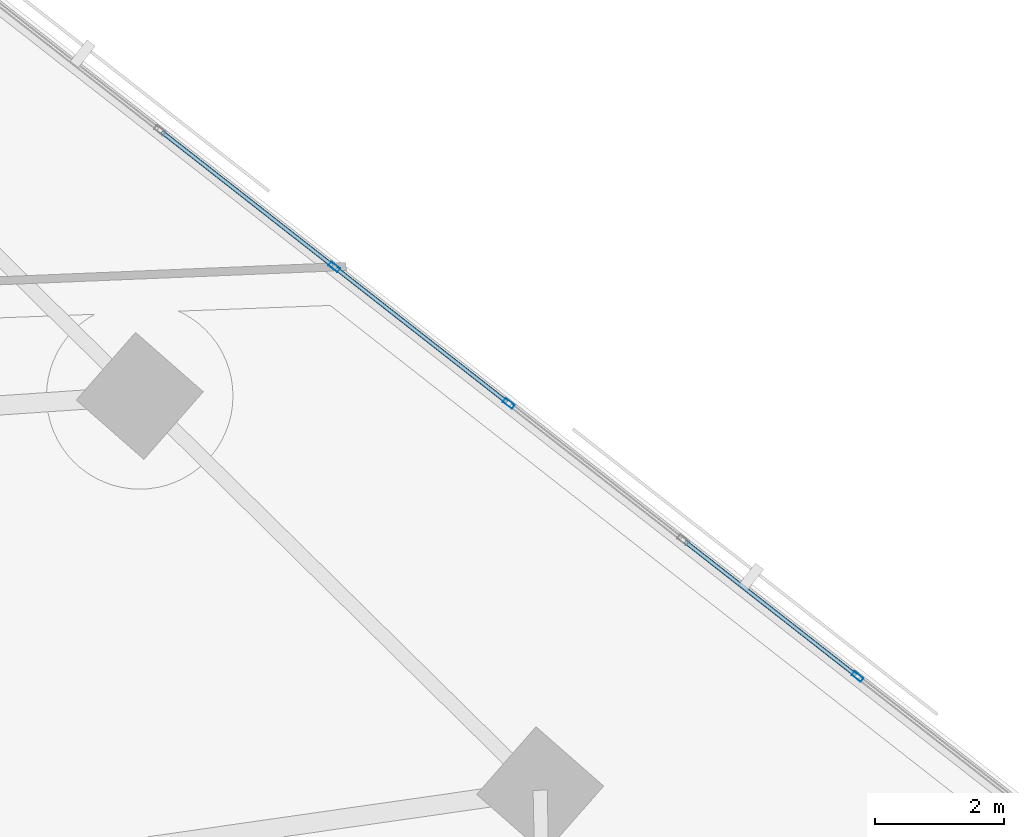
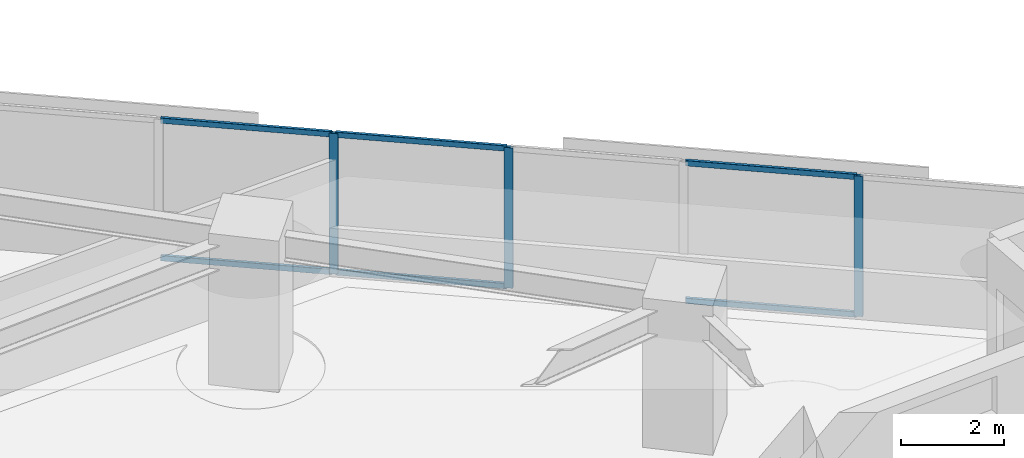
# One storey, part 5 of 16: 9 members, 1 element without a shape of its own.
"""IFC4 building model written with IfcOpenShell, lengths in metres."""

from ifc_helpers import new_model, si_unit, direction, frame, origin, origin_2d, place, context, subcontext, project, spatial, hollow_rectangle, extrude, material, material_profile, profile_set, type_object, element, aggregate, save


model = new_model("IFC4")

# Units and contexts
model_context = context("Model", 3, precision=1e-05, world=origin(), true_north=direction((0.0, 1.0)))
body_context = subcontext(model_context, "Body", "Model", "MODEL_VIEW")
ifc_project = project(units=[si_unit("LENGTHUNIT", "METRE"), si_unit("AREAUNIT", "SQUARE_METRE"), si_unit("VOLUMEUNIT", "CUBIC_METRE"), si_unit("PLANEANGLEUNIT", "RADIAN"), si_unit("MASSUNIT", "GRAM", prefix="KILO")], contexts=[model_context])

# Site, building, storey
site_placement = place(None, origin())
site = spatial("IfcSite", under=ifc_project, at=site_placement, CompositionType="ELEMENT")
building_placement = place(site_placement, origin())
building = spatial("IfcBuilding", under=site, at=building_placement, Name="Narakoshi Arena Tower", CompositionType="ELEMENT")
storey_placement = place(building_placement, frame((0.0, 0.0, 81.300048828125)))
storey = spatial("IfcBuildingStorey", under=building, at=storey_placement, Name="L21", CompositionType="ELEMENT", Elevation=81.300048828125)

# Curtain wall, members
ifc_material = material(Name="Anodised bronze aluminium 6063-T6", Category="aluminium")
curtain_wall_type = type_object("IfcCurtainWallType", Name="CW-HYP-LOW", PredefinedType="NOTDEFINED", material=ifc_material)
curtain_wall_placement = place(storey_placement, origin())
curtain_wall = element("IfcCurtainWall", 1, at=curtain_wall_placement, inside=storey, type_object=curtain_wall_type, Name="L21 Folded Hypotenuse Curtain Wall 1-1", PredefinedType="NOTDEFINED")
ifc_material_profile_1 = material_profile(ifc_material, hollow_rectangle(XDim=0.074951171875, YDim=0.179931640625, WallThickness=0.00390625, OuterFilletRadius=0.0048828125, at=origin_2d()), Name="MUL180x75x4")
ifc_profile_set_1 = profile_set([ifc_material_profile_1], Name="Anodised bronze aluminium 6063-T6")
member_type_1 = type_object("IfcMemberType", Name="MEM-MUL-180", PredefinedType="MULLION", material=ifc_profile_set_1)
member_1_placement = place(storey_placement, frame((118.150634765625, 40.435791015625, 0.0), z_axis=(0.0, 0.0, 1.0), x_axis=(-0.616458234641, -0.787387607817, 0.0)))
member_1 = element("IfcMember", 2, at=member_1_placement, type_object=member_type_1, Name="CW-01 mullion 2", PredefinedType="MULLION", context=body_context, shape_type="SweptSolid", body=[
    extrude(hollow_rectangle(XDim=0.074951171875, YDim=0.179931640625, WallThickness=0.00390625, OuterFilletRadius=0.0048828125, at=origin_2d()), origin(), (0.0, 0.0, 1.0), 3.33984375),
])
member_2_placement = place(storey_placement, frame((112.7275390625, 44.681640625, 0.0), z_axis=(0.0, 0.0, 1.0), x_axis=(-0.616458234641, -0.787387607817, 0.0)))
member_2 = element("IfcMember", 3, at=member_2_placement, type_object=member_type_1, Name="CW-01 mullion 4", PredefinedType="MULLION", context=body_context, shape_type="SweptSolid", body=[
    extrude(hollow_rectangle(XDim=0.074951171875, YDim=0.179931640625, WallThickness=0.00390625, OuterFilletRadius=0.0048828125, at=origin_2d()), origin(), (0.0, 0.0, 1.0), 3.33984375),
])
member_3_placement = place(storey_placement, frame((110.015869140625, 46.8046875, 0.0), z_axis=(0.0, 0.0, 1.0), x_axis=(-0.616458234641, -0.787387607817, 0.0)))
member_3 = element("IfcMember", 4, at=member_3_placement, type_object=member_type_1, Name="CW-01 mullion 5", PredefinedType="MULLION", context=body_context, shape_type="SweptSolid", body=[
    extrude(hollow_rectangle(XDim=0.074951171875, YDim=0.179931640625, WallThickness=0.00390625, OuterFilletRadius=0.0048828125, at=origin_2d()), origin(), (0.0, 0.0, 1.0), 3.33984375),
])
ifc_material_profile_2 = material_profile(ifc_material, hollow_rectangle(XDim=0.06494140625, YDim=0.1298828125, WallThickness=0.00390625, OuterFilletRadius=0.0048828125, at=origin_2d()), Name="TRN130x65x4")
ifc_profile_set_2 = profile_set([ifc_material_profile_2], Name="Anodised bronze aluminium 6063-T6")
member_type_2 = type_object("IfcMemberType", Name="MEM-TRN-130", PredefinedType="USERDEFINED", material=ifc_profile_set_2)
member_4_placement = place(storey_placement, frame((118.12109375, 40.458984375, 0.032470703125), z_axis=(-0.787400998112, 0.616441131149, 0.0), x_axis=(-0.616441131149, -0.787400998112, 0.0)))
member_4 = element("IfcMember", 5, at=member_4_placement, type_object=member_type_2, Name="CW-01 transom 2.1", ObjectType="TRANSOM", PredefinedType="USERDEFINED", context=body_context, shape_type="SweptSolid", body=[
    extrude(hollow_rectangle(XDim=0.06494140625, YDim=0.1298828125, WallThickness=0.00390625, OuterFilletRadius=0.0048828125, at=origin_2d()), origin(), (0.0, 0.0, 1.0), 3.368896484375),
])
member_5_placement = place(storey_placement, frame((118.12109375, 40.458984375, 3.307373046875), z_axis=(-0.787400998112, 0.616441131149, 0.0), x_axis=(-0.616441131149, -0.787400998112, 0.0)))
member_5 = element("IfcMember", 6, at=member_5_placement, type_object=member_type_2, Name="CW-01 transom 2.2", ObjectType="TRANSOM", PredefinedType="USERDEFINED", context=body_context, shape_type="SweptSolid", body=[
    extrude(hollow_rectangle(XDim=0.06494140625, YDim=0.1298828125, WallThickness=0.00390625, OuterFilletRadius=0.0048828125, at=origin_2d()), origin(), (0.0, 0.0, 1.0), 3.368896484375),
])
member_6_placement = place(storey_placement, frame((112.697998046875, 44.704833984375, 0.032470703125), z_axis=(-0.787400998112, 0.616441131149, 0.0), x_axis=(-0.616441131149, -0.787400998112, 0.0)))
member_6 = element("IfcMember", 7, at=member_6_placement, type_object=member_type_2, Name="CW-01 transom 4.1", ObjectType="TRANSOM", PredefinedType="USERDEFINED", context=body_context, shape_type="SweptSolid", body=[
    extrude(hollow_rectangle(XDim=0.06494140625, YDim=0.1298828125, WallThickness=0.00390625, OuterFilletRadius=0.0048828125, at=origin_2d()), origin(), (0.0, 0.0, 1.0), 3.368896484375),
])
member_7_placement = place(storey_placement, frame((112.697998046875, 44.704833984375, 3.307373046875), z_axis=(-0.787400998112, 0.616441131149, 0.0), x_axis=(-0.616441131149, -0.787400998112, 0.0)))
member_7 = element("IfcMember", 8, at=member_7_placement, type_object=member_type_2, Name="CW-01 transom 4.2", ObjectType="TRANSOM", PredefinedType="USERDEFINED", context=body_context, shape_type="SweptSolid", body=[
    extrude(hollow_rectangle(XDim=0.06494140625, YDim=0.1298828125, WallThickness=0.00390625, OuterFilletRadius=0.0048828125, at=origin_2d()), origin(), (0.0, 0.0, 1.0), 3.368896484375),
])
member_8_placement = place(storey_placement, frame((109.986328125, 46.827880859375, 0.032470703125), z_axis=(-0.787373456673, 0.616476309137, 0.0), x_axis=(-0.616476309137, -0.787373456673, 0.0)))
member_8 = element("IfcMember", 9, at=member_8_placement, type_object=member_type_2, Name="CW-01 transom 5.1", ObjectType="TRANSOM", PredefinedType="USERDEFINED", context=body_context, shape_type="SweptSolid", body=[
    extrude(hollow_rectangle(XDim=0.06494140625, YDim=0.1298828125, WallThickness=0.00390625, OuterFilletRadius=0.0048828125, at=origin_2d()), origin(), (0.0, 0.0, 1.0), 3.36865234375),
])
member_9_placement = place(storey_placement, frame((109.986328125, 46.827880859375, 3.307373046875), z_axis=(-0.787373456673, 0.616476309137, 0.0), x_axis=(-0.616476309137, -0.787373456673, 0.0)))
member_9 = element("IfcMember", 10, at=member_9_placement, type_object=member_type_2, Name="CW-01 transom 5.2", ObjectType="TRANSOM", PredefinedType="USERDEFINED", context=body_context, shape_type="SweptSolid", body=[
    extrude(hollow_rectangle(XDim=0.06494140625, YDim=0.1298828125, WallThickness=0.00390625, OuterFilletRadius=0.0048828125, at=origin_2d()), origin(), (0.0, 0.0, 1.0), 3.36865234375),
])
aggregate(curtain_wall, [member_1, member_2, member_3, member_4, member_5, member_6, member_7, member_8, member_9])

save(model, "model.ifc")
